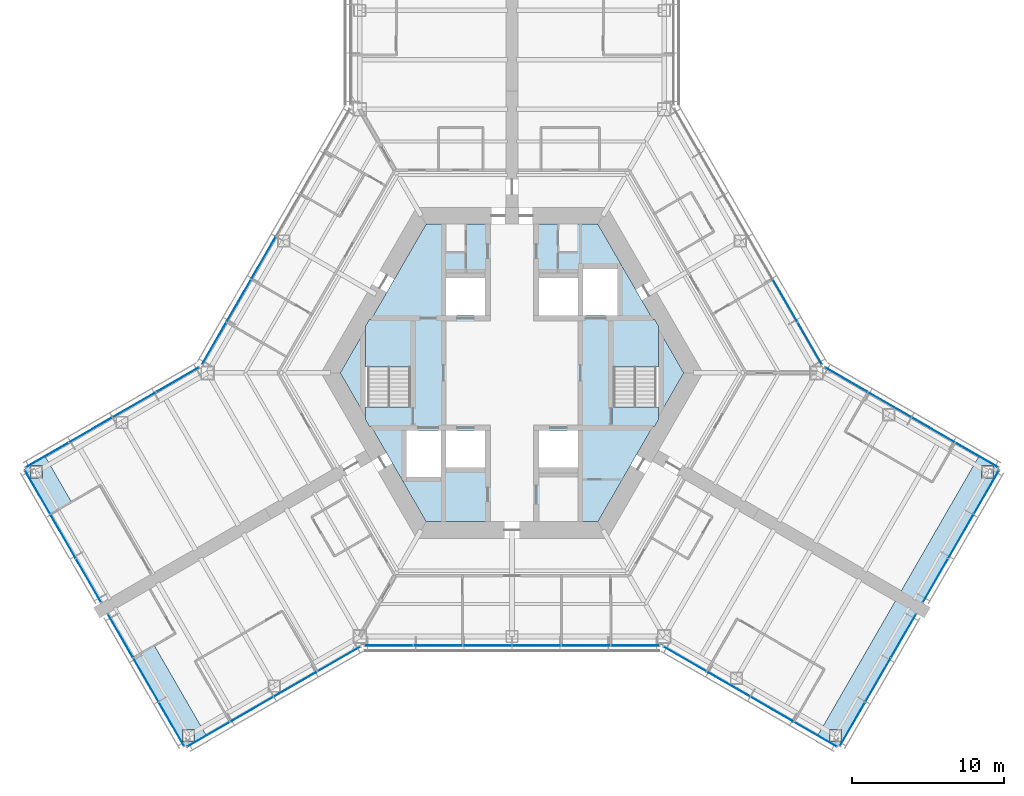
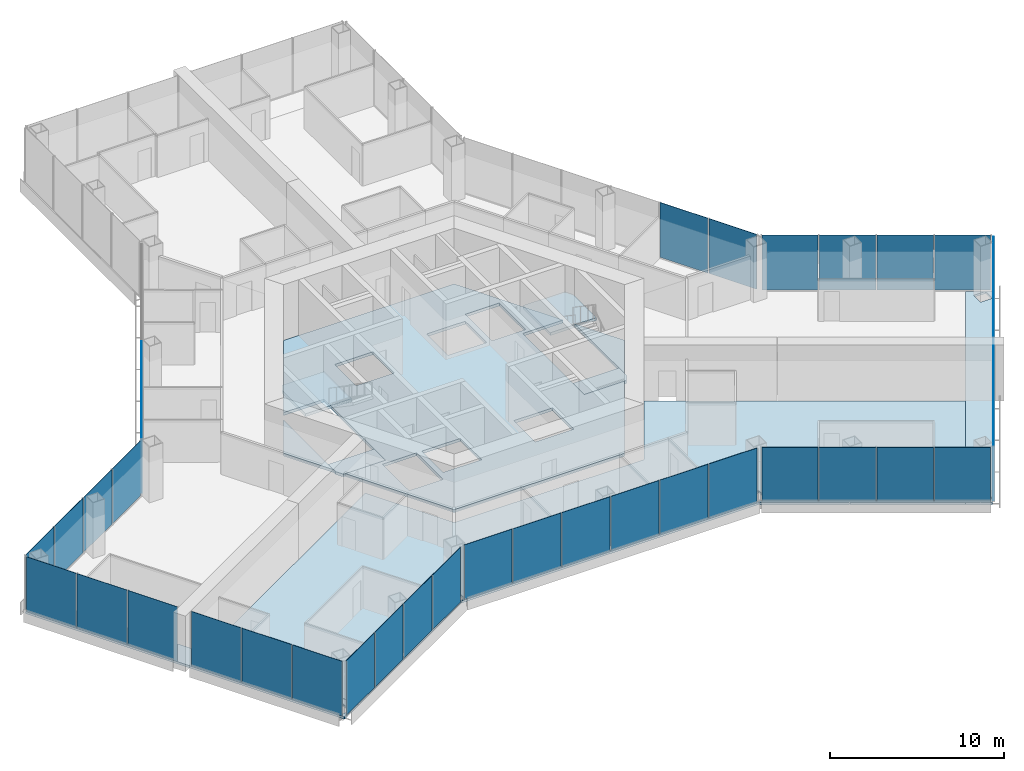
# One storey, part 10 of 19: 39 plates, 10 slabs, 13 elements without a shape of their own.
"""IFC4 building model written with IfcOpenShell, lengths in metres."""

from ifc_helpers import new_model, si_unit, direction, frame, origin, origin_2d, place, context, subcontext, project, spatial, polyline, rectangle, outline, extrude, material, layer, layer_set, type_object, element, aggregate, save


model = new_model("IFC4")

# Units and contexts
model_context = context("Model", 3, precision=1e-05, world=origin(), true_north=direction((0.0, 1.0)))
body_context = subcontext(model_context, "Body", "Model", "MODEL_VIEW")
ifc_project = project(units=[si_unit("LENGTHUNIT", "METRE"), si_unit("AREAUNIT", "SQUARE_METRE"), si_unit("VOLUMEUNIT", "CUBIC_METRE"), si_unit("PLANEANGLEUNIT", "RADIAN"), si_unit("MASSUNIT", "GRAM", prefix="KILO")], contexts=[model_context])

# Site, building, storey
site_placement = place(None, origin())
site = spatial("IfcSite", under=ifc_project, at=site_placement, CompositionType="ELEMENT")
building_placement = place(site_placement, origin())
building = spatial("IfcBuilding", under=site, at=building_placement, Name="Kasaneha Research Tower", CompositionType="ELEMENT")
storey_placement = place(building_placement, frame((0.0, 0.0, 84.60009765625)))
storey = spatial("IfcBuildingStorey", under=building, at=storey_placement, Name="L21", CompositionType="ELEMENT", Elevation=84.60009765625)

# Curtain wall, plates
ifc_material_1 = material(Name="Glass and aluminium", Category="aluminium")
curtain_wall_type = type_object("IfcCurtainWallType", Name="Low-rise office curtain wall", PredefinedType="USERDEFINED", material=ifc_material_1)
curtain_wall_1_placement = place(storey_placement, origin())
curtain_wall_1 = element("IfcCurtainWall", 1, at=curtain_wall_1_placement, inside=storey, type_object=curtain_wall_type, Name="CW-O1 L21 run 01a", ObjectType="UNITISED CURTAIN WALL", PredefinedType="USERDEFINED")
ifc_material_2 = material(Name="Laminated double glazing", Category="glass")
ifc_layer_1 = layer(ifc_material_2, 0.028076171875)
ifc_layer_set_1 = layer_set([ifc_layer_1], Name="CW-O1 glazed panel")
plate_type = type_object("IfcPlateType", Name="CW-O1 glazed panel", PredefinedType="CURTAIN_PANEL", material=ifc_layer_set_1)
plate_1_placement = place(storey_placement, frame((-19.945068359375, -23.755126953125, 0.06005859375), z_axis=(0.0, 0.0, 1.0), x_axis=(0.866025411464, 0.499999986699, 0.0)))
plate_1 = element("IfcPlate", 2, at=plate_1_placement, type_object=plate_type, Name="CW-O1 panel 1", PredefinedType="CURTAIN_PANEL", context=body_context, shape_type="SweptSolid", body=[
    extrude(rectangle(XDim=3.2197265625, YDim=0.028076171875, at=origin_2d()), origin(), (0.0, 0.0, 1.0), 3.840087890625),
])
plate_2_placement = place(storey_placement, frame((-17.091796875, -22.107666015625, 0.06005859375), z_axis=(0.0, 0.0, 1.0), x_axis=(0.866025411464, 0.499999986699, 0.0)))
plate_2 = element("IfcPlate", 3, at=plate_2_placement, type_object=plate_type, Name="CW-O1 panel 2", PredefinedType="CURTAIN_PANEL", context=body_context, shape_type="SweptSolid", body=[
    extrude(rectangle(XDim=3.249755859375, YDim=0.028076171875, at=origin_2d()), origin(), (0.0, 0.0, 1.0), 3.840087890625),
])
plate_3_placement = place(storey_placement, frame((-14.225341796875, -20.452880859375, 0.06005859375), z_axis=(0.0, 0.0, 1.0), x_axis=(0.866025411464, 0.499999986699, 0.0)))
plate_3 = element("IfcPlate", 4, at=plate_3_placement, type_object=plate_type, Name="CW-O1 panel 3", PredefinedType="CURTAIN_PANEL", context=body_context, shape_type="SweptSolid", body=[
    extrude(rectangle(XDim=3.249755859375, YDim=0.028076171875, at=origin_2d()), origin(), (0.0, 0.0, 1.0), 3.840087890625),
])
plate_4_placement = place(storey_placement, frame((-11.3720703125, -18.805419921875, 0.06005859375), z_axis=(0.0, 0.0, 1.0), x_axis=(0.866025411464, 0.499999986699, 0.0)))
plate_4 = element("IfcPlate", 5, at=plate_4_placement, type_object=plate_type, Name="CW-O1 panel 4", PredefinedType="CURTAIN_PANEL", context=body_context, shape_type="SweptSolid", body=[
    extrude(rectangle(XDim=3.2197265625, YDim=0.028076171875, at=origin_2d()), origin(), (0.0, 0.0, 1.0), 3.840087890625),
])
aggregate(curtain_wall_1, [plate_1, plate_2, plate_3, plate_4])

curtain_wall_2_placement = place(storey_placement, origin())
curtain_wall_2 = element("IfcCurtainWall", 6, at=curtain_wall_2_placement, inside=storey, type_object=curtain_wall_type, Name="CW-O1 L21 run 02a", ObjectType="UNITISED CURTAIN WALL", PredefinedType="USERDEFINED")
plate_5_placement = place(storey_placement, frame((-8.10107421875, -17.92041015625, 0.06005859375), z_axis=(0.0, 0.0, 1.0), x_axis=(1.0, 0.0, 0.0)))
plate_5 = element("IfcPlate", 7, at=plate_5_placement, type_object=plate_type, Name="CW-O1 panel 1", PredefinedType="CURTAIN_PANEL", context=body_context, shape_type="SweptSolid", body=[
    extrude(rectangle(XDim=3.156494140625, YDim=0.028076171875, at=origin_2d()), origin(), (0.0, 0.0, 1.0), 3.840087890625),
])
plate_6_placement = place(storey_placement, frame((-4.86962890625, -17.92041015625, 0.06005859375), z_axis=(0.0, 0.0, 1.0), x_axis=(1.0, 0.0, 0.0)))
plate_6 = element("IfcPlate", 8, at=plate_6_placement, type_object=plate_type, Name="CW-O1 panel 2", PredefinedType="CURTAIN_PANEL", context=body_context, shape_type="SweptSolid", body=[
    extrude(rectangle(XDim=3.1865234375, YDim=0.028076171875, at=origin_2d()), origin(), (0.0, 0.0, 1.0), 3.840087890625),
])
plate_7_placement = place(storey_placement, frame((-1.623291015625, -17.92041015625, 0.06005859375), z_axis=(0.0, 0.0, 1.0), x_axis=(1.0, 0.0, 0.0)))
plate_7 = element("IfcPlate", 9, at=plate_7_placement, type_object=plate_type, Name="CW-O1 panel 3", PredefinedType="CURTAIN_PANEL", context=body_context, shape_type="SweptSolid", body=[
    extrude(rectangle(XDim=3.1865234375, YDim=0.028076171875, at=origin_2d()), origin(), (0.0, 0.0, 1.0), 3.840087890625),
])
plate_8_placement = place(storey_placement, frame((1.623291015625, -17.92041015625, 0.06005859375), z_axis=(0.0, 0.0, 1.0), x_axis=(1.0, 0.0, 0.0)))
plate_8 = element("IfcPlate", 10, at=plate_8_placement, type_object=plate_type, Name="CW-O1 panel 4", PredefinedType="CURTAIN_PANEL", context=body_context, shape_type="SweptSolid", body=[
    extrude(rectangle(XDim=3.1865234375, YDim=0.028076171875, at=origin_2d()), origin(), (0.0, 0.0, 1.0), 3.840087890625),
])
plate_9_placement = place(storey_placement, frame((4.86962890625, -17.92041015625, 0.06005859375), z_axis=(0.0, 0.0, 1.0), x_axis=(1.0, 0.0, 0.0)))
plate_9 = element("IfcPlate", 11, at=plate_9_placement, type_object=plate_type, Name="CW-O1 panel 5", PredefinedType="CURTAIN_PANEL", context=body_context, shape_type="SweptSolid", body=[
    extrude(rectangle(XDim=3.1865234375, YDim=0.028076171875, at=origin_2d()), origin(), (0.0, 0.0, 1.0), 3.840087890625),
])
plate_10_placement = place(storey_placement, frame((8.10107421875, -17.92041015625, 0.06005859375), z_axis=(0.0, 0.0, 1.0), x_axis=(1.0, 0.0, 0.0)))
plate_10 = element("IfcPlate", 12, at=plate_10_placement, type_object=plate_type, Name="CW-O1 panel 6", PredefinedType="CURTAIN_PANEL", context=body_context, shape_type="SweptSolid", body=[
    extrude(rectangle(XDim=3.156494140625, YDim=0.028076171875, at=origin_2d()), origin(), (0.0, 0.0, 1.0), 3.840087890625),
])
aggregate(curtain_wall_2, [plate_5, plate_6, plate_7, plate_8, plate_9, plate_10])

curtain_wall_3_placement = place(storey_placement, origin())
curtain_wall_3 = element("IfcCurtainWall", 13, at=curtain_wall_3_placement, inside=storey, type_object=curtain_wall_type, Name="CW-O1 L21 run 03a", ObjectType="UNITISED CURTAIN WALL", PredefinedType="USERDEFINED")
plate_11_placement = place(storey_placement, frame((11.3720703125, -18.805419921875, 0.06005859375), z_axis=(0.0, 0.0, 1.0), x_axis=(0.866025411464, -0.499999986699, 0.0)))
plate_11 = element("IfcPlate", 14, at=plate_11_placement, type_object=plate_type, Name="CW-O1 panel 1", PredefinedType="CURTAIN_PANEL", context=body_context, shape_type="SweptSolid", body=[
    extrude(rectangle(XDim=3.2197265625, YDim=0.028076171875, at=origin_2d()), origin(), (0.0, 0.0, 1.0), 3.840087890625),
])
plate_12_placement = place(storey_placement, frame((14.225341796875, -20.452880859375, 0.06005859375), z_axis=(0.0, 0.0, 1.0), x_axis=(0.866025411464, -0.499999986699, 0.0)))
plate_12 = element("IfcPlate", 15, at=plate_12_placement, type_object=plate_type, Name="CW-O1 panel 2", PredefinedType="CURTAIN_PANEL", context=body_context, shape_type="SweptSolid", body=[
    extrude(rectangle(XDim=3.249755859375, YDim=0.028076171875, at=origin_2d()), origin(), (0.0, 0.0, 1.0), 3.840087890625),
])
plate_13_placement = place(storey_placement, frame((17.091796875, -22.107666015625, 0.06005859375), z_axis=(0.0, 0.0, 1.0), x_axis=(0.866025411464, -0.499999986699, 0.0)))
plate_13 = element("IfcPlate", 16, at=plate_13_placement, type_object=plate_type, Name="CW-O1 panel 3", PredefinedType="CURTAIN_PANEL", context=body_context, shape_type="SweptSolid", body=[
    extrude(rectangle(XDim=3.249755859375, YDim=0.028076171875, at=origin_2d()), origin(), (0.0, 0.0, 1.0), 3.840087890625),
])
plate_14_placement = place(storey_placement, frame((19.945068359375, -23.755126953125, 0.06005859375), z_axis=(0.0, 0.0, 1.0), x_axis=(0.866025411464, -0.499999986699, 0.0)))
plate_14 = element("IfcPlate", 17, at=plate_14_placement, type_object=plate_type, Name="CW-O1 panel 4", PredefinedType="CURTAIN_PANEL", context=body_context, shape_type="SweptSolid", body=[
    extrude(rectangle(XDim=3.2197265625, YDim=0.028076171875, at=origin_2d()), origin(), (0.0, 0.0, 1.0), 3.840087890625),
])
aggregate(curtain_wall_3, [plate_11, plate_12, plate_13, plate_14])

curtain_wall_4_placement = place(storey_placement, origin())
curtain_wall_4 = element("IfcCurtainWall", 18, at=curtain_wall_4_placement, inside=storey, type_object=curtain_wall_type, Name="CW-O1 L21 run 04a", ObjectType="UNITISED CURTAIN WALL", PredefinedType="USERDEFINED")
plate_15_placement = place(storey_placement, frame((22.377197265625, -23.082763671875, 0.06005859375), z_axis=(0.0, 0.0, 1.0), x_axis=(0.500000011442, 0.866025397178, 0.0)))
plate_15 = element("IfcPlate", 19, at=plate_15_placement, type_object=plate_type, Name="CW-O1 panel 1", PredefinedType="CURTAIN_PANEL", context=body_context, shape_type="SweptSolid", body=[
    extrude(rectangle(XDim=3.276611328125, YDim=0.028076171875, at=origin_2d()), origin(), (0.0, 0.0, 1.0), 3.840087890625),
])
plate_16_placement = place(storey_placement, frame((24.052978515625, -20.18017578125, 0.06005859375), z_axis=(0.0, 0.0, 1.0), x_axis=(0.500000011442, 0.866025397178, 0.0)))
plate_16 = element("IfcPlate", 20, at=plate_16_placement, type_object=plate_type, Name="CW-O1 panel 2", PredefinedType="CURTAIN_PANEL", context=body_context, shape_type="SweptSolid", body=[
    extrude(rectangle(XDim=3.306640625, YDim=0.028076171875, at=origin_2d()), origin(), (0.0, 0.0, 1.0), 3.840087890625),
])
plate_17_placement = place(storey_placement, frame((25.728759765625, -17.27734375, 0.06005859375), z_axis=(0.0, 0.0, 1.0), x_axis=(0.500000011442, 0.866025397178, 0.0)))
plate_17 = element("IfcPlate", 21, at=plate_17_placement, type_object=plate_type, Name="CW-O1 panel 3", PredefinedType="CURTAIN_PANEL", context=body_context, shape_type="SweptSolid", body=[
    extrude(rectangle(XDim=3.276611328125, YDim=0.028076171875, at=origin_2d()), origin(), (0.0, 0.0, 1.0), 3.840087890625),
])
aggregate(curtain_wall_4, [plate_15, plate_16, plate_17])

curtain_wall_5_placement = place(storey_placement, origin())
curtain_wall_5 = element("IfcCurtainWall", 22, at=curtain_wall_5_placement, inside=storey, type_object=curtain_wall_type, Name="CW-O1 L21 run 05a", ObjectType="UNITISED CURTAIN WALL", PredefinedType="USERDEFINED")
plate_18_placement = place(storey_placement, frame((27.8271484375, -13.64306640625, 0.06005859375), z_axis=(0.0, 0.0, 1.0), x_axis=(0.500000011442, 0.866025397178, 0.0)))
plate_18 = element("IfcPlate", 23, at=plate_18_placement, type_object=plate_type, Name="CW-O1 panel 1", PredefinedType="CURTAIN_PANEL", context=body_context, shape_type="SweptSolid", body=[
    extrude(rectangle(XDim=3.276611328125, YDim=0.028076171875, at=origin_2d()), origin(), (0.0, 0.0, 1.0), 3.840087890625),
])
plate_19_placement = place(storey_placement, frame((29.5029296875, -10.740478515625, 0.06005859375), z_axis=(0.0, 0.0, 1.0), x_axis=(0.500000011442, 0.866025397178, 0.0)))
plate_19 = element("IfcPlate", 24, at=plate_19_placement, type_object=plate_type, Name="CW-O1 panel 2", PredefinedType="CURTAIN_PANEL", context=body_context, shape_type="SweptSolid", body=[
    extrude(rectangle(XDim=3.306640625, YDim=0.028076171875, at=origin_2d()), origin(), (0.0, 0.0, 1.0), 3.840087890625),
])
plate_20_placement = place(storey_placement, frame((31.1787109375, -7.837890625, 0.06005859375), z_axis=(0.0, 0.0, 1.0), x_axis=(0.500000011442, 0.866025397178, 0.0)))
plate_20 = element("IfcPlate", 25, at=plate_20_placement, type_object=plate_type, Name="CW-O1 panel 3", PredefinedType="CURTAIN_PANEL", context=body_context, shape_type="SweptSolid", body=[
    extrude(rectangle(XDim=3.276611328125, YDim=0.028076171875, at=origin_2d()), origin(), (0.0, 0.0, 1.0), 3.840087890625),
])
aggregate(curtain_wall_5, [plate_18, plate_19, plate_20])

curtain_wall_6_placement = place(storey_placement, origin())
curtain_wall_6 = element("IfcCurtainWall", 26, at=curtain_wall_6_placement, inside=storey, type_object=curtain_wall_type, Name="CW-O1 L21 run 06a", ObjectType="UNITISED CURTAIN WALL", PredefinedType="USERDEFINED")
plate_21_placement = place(storey_placement, frame((30.545166015625, -5.3955078125, 0.06005859375), z_axis=(0.0, 0.0, 1.0), x_axis=(-0.866025411464, 0.499999986699, 0.0)))
plate_21 = element("IfcPlate", 27, at=plate_21_placement, type_object=plate_type, Name="CW-O1 panel 1", PredefinedType="CURTAIN_PANEL", context=body_context, shape_type="SweptSolid", body=[
    extrude(rectangle(XDim=3.2197265625, YDim=0.028076171875, at=origin_2d()), origin(), (0.0, 0.0, 1.0), 3.840087890625),
])
plate_22_placement = place(storey_placement, frame((27.69189453125, -3.748046875, 0.06005859375), z_axis=(0.0, 0.0, 1.0), x_axis=(-0.866025411464, 0.499999986699, 0.0)))
plate_22 = element("IfcPlate", 28, at=plate_22_placement, type_object=plate_type, Name="CW-O1 panel 2", PredefinedType="CURTAIN_PANEL", context=body_context, shape_type="SweptSolid", body=[
    extrude(rectangle(XDim=3.249755859375, YDim=0.028076171875, at=origin_2d()), origin(), (0.0, 0.0, 1.0), 3.840087890625),
])
plate_23_placement = place(storey_placement, frame((24.825439453125, -2.093017578125, 0.06005859375), z_axis=(0.0, 0.0, 1.0), x_axis=(-0.866025411464, 0.499999986699, 0.0)))
plate_23 = element("IfcPlate", 29, at=plate_23_placement, type_object=plate_type, Name="CW-O1 panel 3", PredefinedType="CURTAIN_PANEL", context=body_context, shape_type="SweptSolid", body=[
    extrude(rectangle(XDim=3.249755859375, YDim=0.028076171875, at=origin_2d()), origin(), (0.0, 0.0, 1.0), 3.840087890625),
])
plate_24_placement = place(storey_placement, frame((21.971923828125, -0.44580078125, 0.06005859375), z_axis=(0.0, 0.0, 1.0), x_axis=(-0.866025411464, 0.499999986699, 0.0)))
plate_24 = element("IfcPlate", 30, at=plate_24_placement, type_object=plate_type, Name="CW-O1 panel 4", PredefinedType="CURTAIN_PANEL", context=body_context, shape_type="SweptSolid", body=[
    extrude(rectangle(XDim=3.2197265625, YDim=0.028076171875, at=origin_2d()), origin(), (0.0, 0.0, 1.0), 3.840087890625),
])
aggregate(curtain_wall_6, [plate_21, plate_22, plate_23, plate_24])

curtain_wall_7_placement = place(storey_placement, origin())
curtain_wall_7 = element("IfcCurtainWall", 31, at=curtain_wall_7_placement, inside=storey, type_object=curtain_wall_type, Name="CW-O1 L21 run 07a", ObjectType="UNITISED CURTAIN WALL", PredefinedType="USERDEFINED")
plate_25_placement = place(storey_placement, frame((19.570068359375, 1.944580078125, 0.06005859375), z_axis=(0.0, 0.0, 1.0), x_axis=(-0.49999996188, 0.866025425793, 0.0)))
plate_25 = element("IfcPlate", 32, at=plate_25_placement, type_object=plate_type, Name="CW-O1 panel 1", PredefinedType="CURTAIN_PANEL", context=body_context, shape_type="SweptSolid", body=[
    extrude(rectangle(XDim=3.156494140625, YDim=0.028076171875, at=origin_2d()), origin(), (0.0, 0.0, 1.0), 3.840087890625),
])
plate_26_placement = place(storey_placement, frame((17.954345703125, 4.7431640625, 0.06005859375), z_axis=(0.0, 0.0, 1.0), x_axis=(-0.49999996188, 0.866025425793, 0.0)))
plate_26 = element("IfcPlate", 33, at=plate_26_placement, type_object=plate_type, Name="CW-O1 panel 2", PredefinedType="CURTAIN_PANEL", context=body_context, shape_type="SweptSolid", body=[
    extrude(rectangle(XDim=3.1865234375, YDim=0.028076171875, at=origin_2d()), origin(), (0.0, 0.0, 1.0), 3.840087890625),
])
aggregate(curtain_wall_7, [plate_25, plate_26])

curtain_wall_8_placement = place(storey_placement, origin())
curtain_wall_8 = element("IfcCurtainWall", 34, at=curtain_wall_8_placement, inside=storey, type_object=curtain_wall_type, Name="CW-O1 L21 run 12a", ObjectType="UNITISED CURTAIN WALL", PredefinedType="USERDEFINED")
plate_27_placement = place(storey_placement, frame((-16.331298828125, 7.554443359375, 0.06005859375), z_axis=(0.0, 0.0, 1.0), x_axis=(-0.49999996188, -0.866025425793, 0.0)))
plate_27 = element("IfcPlate", 35, at=plate_27_placement, type_object=plate_type, Name="CW-O1 panel 4", PredefinedType="CURTAIN_PANEL", context=body_context, shape_type="SweptSolid", body=[
    extrude(rectangle(XDim=3.1865234375, YDim=0.028076171875, at=origin_2d()), origin(), (0.0, 0.0, 1.0), 3.840087890625),
])
plate_28_placement = place(storey_placement, frame((-17.954345703125, 4.7431640625, 0.06005859375), z_axis=(0.0, 0.0, 1.0), x_axis=(-0.49999996188, -0.866025425793, 0.0)))
plate_28 = element("IfcPlate", 36, at=plate_28_placement, type_object=plate_type, Name="CW-O1 panel 5", PredefinedType="CURTAIN_PANEL", context=body_context, shape_type="SweptSolid", body=[
    extrude(rectangle(XDim=3.1865234375, YDim=0.028076171875, at=origin_2d()), origin(), (0.0, 0.0, 1.0), 3.840087890625),
])
plate_29_placement = place(storey_placement, frame((-19.570068359375, 1.944580078125, 0.06005859375), z_axis=(0.0, 0.0, 1.0), x_axis=(-0.49999996188, -0.866025425793, 0.0)))
plate_29 = element("IfcPlate", 37, at=plate_29_placement, type_object=plate_type, Name="CW-O1 panel 6", PredefinedType="CURTAIN_PANEL", context=body_context, shape_type="SweptSolid", body=[
    extrude(rectangle(XDim=3.156494140625, YDim=0.028076171875, at=origin_2d()), origin(), (0.0, 0.0, 1.0), 3.840087890625),
])
aggregate(curtain_wall_8, [plate_27, plate_28, plate_29])

curtain_wall_9_placement = place(storey_placement, origin())
curtain_wall_9 = element("IfcCurtainWall", 38, at=curtain_wall_9_placement, inside=storey, type_object=curtain_wall_type, Name="CW-O1 L21 run 13a", ObjectType="UNITISED CURTAIN WALL", PredefinedType="USERDEFINED")
plate_30_placement = place(storey_placement, frame((-21.971923828125, -0.44580078125, 0.06005859375), z_axis=(0.0, 0.0, 1.0), x_axis=(-0.866025411464, -0.499999986699, 0.0)))
plate_30 = element("IfcPlate", 39, at=plate_30_placement, type_object=plate_type, Name="CW-O1 panel 1", PredefinedType="CURTAIN_PANEL", context=body_context, shape_type="SweptSolid", body=[
    extrude(rectangle(XDim=3.2197265625, YDim=0.028076171875, at=origin_2d()), origin(), (0.0, 0.0, 1.0), 3.840087890625),
])
plate_31_placement = place(storey_placement, frame((-24.825439453125, -2.093017578125, 0.06005859375), z_axis=(0.0, 0.0, 1.0), x_axis=(-0.866025411464, -0.499999986699, 0.0)))
plate_31 = element("IfcPlate", 40, at=plate_31_placement, type_object=plate_type, Name="CW-O1 panel 2", PredefinedType="CURTAIN_PANEL", context=body_context, shape_type="SweptSolid", body=[
    extrude(rectangle(XDim=3.249755859375, YDim=0.028076171875, at=origin_2d()), origin(), (0.0, 0.0, 1.0), 3.840087890625),
])
plate_32_placement = place(storey_placement, frame((-27.69189453125, -3.748046875, 0.06005859375), z_axis=(0.0, 0.0, 1.0), x_axis=(-0.866025411464, -0.499999986699, 0.0)))
plate_32 = element("IfcPlate", 41, at=plate_32_placement, type_object=plate_type, Name="CW-O1 panel 3", PredefinedType="CURTAIN_PANEL", context=body_context, shape_type="SweptSolid", body=[
    extrude(rectangle(XDim=3.249755859375, YDim=0.028076171875, at=origin_2d()), origin(), (0.0, 0.0, 1.0), 3.840087890625),
])
plate_33_placement = place(storey_placement, frame((-30.545166015625, -5.3955078125, 0.06005859375), z_axis=(0.0, 0.0, 1.0), x_axis=(-0.866025411464, -0.499999986699, 0.0)))
plate_33 = element("IfcPlate", 42, at=plate_33_placement, type_object=plate_type, Name="CW-O1 panel 4", PredefinedType="CURTAIN_PANEL", context=body_context, shape_type="SweptSolid", body=[
    extrude(rectangle(XDim=3.2197265625, YDim=0.028076171875, at=origin_2d()), origin(), (0.0, 0.0, 1.0), 3.840087890625),
])
aggregate(curtain_wall_9, [plate_30, plate_31, plate_32, plate_33])

curtain_wall_10_placement = place(storey_placement, origin())
curtain_wall_10 = element("IfcCurtainWall", 43, at=curtain_wall_10_placement, inside=storey, type_object=curtain_wall_type, Name="CW-O1 L21 run 14a", ObjectType="UNITISED CURTAIN WALL", PredefinedType="USERDEFINED")
plate_34_placement = place(storey_placement, frame((-31.1787109375, -7.837890625, 0.06005859375), z_axis=(0.0, 0.0, 1.0), x_axis=(0.500000011442, -0.866025397178, 0.0)))
plate_34 = element("IfcPlate", 44, at=plate_34_placement, type_object=plate_type, Name="CW-O1 panel 1", PredefinedType="CURTAIN_PANEL", context=body_context, shape_type="SweptSolid", body=[
    extrude(rectangle(XDim=3.276611328125, YDim=0.028076171875, at=origin_2d()), origin(), (0.0, 0.0, 1.0), 3.840087890625),
])
plate_35_placement = place(storey_placement, frame((-29.5029296875, -10.740478515625, 0.06005859375), z_axis=(0.0, 0.0, 1.0), x_axis=(0.500000011442, -0.866025397178, 0.0)))
plate_35 = element("IfcPlate", 45, at=plate_35_placement, type_object=plate_type, Name="CW-O1 panel 2", PredefinedType="CURTAIN_PANEL", context=body_context, shape_type="SweptSolid", body=[
    extrude(rectangle(XDim=3.306640625, YDim=0.028076171875, at=origin_2d()), origin(), (0.0, 0.0, 1.0), 3.840087890625),
])
plate_36_placement = place(storey_placement, frame((-27.8271484375, -13.64306640625, 0.06005859375), z_axis=(0.0, 0.0, 1.0), x_axis=(0.500000011442, -0.866025397178, 0.0)))
plate_36 = element("IfcPlate", 46, at=plate_36_placement, type_object=plate_type, Name="CW-O1 panel 3", PredefinedType="CURTAIN_PANEL", context=body_context, shape_type="SweptSolid", body=[
    extrude(rectangle(XDim=3.276611328125, YDim=0.028076171875, at=origin_2d()), origin(), (0.0, 0.0, 1.0), 3.840087890625),
])
aggregate(curtain_wall_10, [plate_34, plate_35, plate_36])

curtain_wall_11_placement = place(storey_placement, origin())
curtain_wall_11 = element("IfcCurtainWall", 47, at=curtain_wall_11_placement, inside=storey, type_object=curtain_wall_type, Name="CW-O1 L21 run 15a", ObjectType="UNITISED CURTAIN WALL", PredefinedType="USERDEFINED")
plate_37_placement = place(storey_placement, frame((-25.728759765625, -17.27734375, 0.06005859375), z_axis=(0.0, 0.0, 1.0), x_axis=(0.500000011442, -0.866025397178, 0.0)))
plate_37 = element("IfcPlate", 48, at=plate_37_placement, type_object=plate_type, Name="CW-O1 panel 1", PredefinedType="CURTAIN_PANEL", context=body_context, shape_type="SweptSolid", body=[
    extrude(rectangle(XDim=3.276611328125, YDim=0.028076171875, at=origin_2d()), origin(), (0.0, 0.0, 1.0), 3.840087890625),
])
plate_38_placement = place(storey_placement, frame((-24.052978515625, -20.18017578125, 0.06005859375), z_axis=(0.0, 0.0, 1.0), x_axis=(0.500000011442, -0.866025397178, 0.0)))
plate_38 = element("IfcPlate", 49, at=plate_38_placement, type_object=plate_type, Name="CW-O1 panel 2", PredefinedType="CURTAIN_PANEL", context=body_context, shape_type="SweptSolid", body=[
    extrude(rectangle(XDim=3.306640625, YDim=0.028076171875, at=origin_2d()), origin(), (0.0, 0.0, 1.0), 3.840087890625),
])
plate_39_placement = place(storey_placement, frame((-22.377197265625, -23.082763671875, 0.06005859375), z_axis=(0.0, 0.0, 1.0), x_axis=(0.500000011442, -0.866025397178, 0.0)))
plate_39 = element("IfcPlate", 50, at=plate_39_placement, type_object=plate_type, Name="CW-O1 panel 3", PredefinedType="CURTAIN_PANEL", context=body_context, shape_type="SweptSolid", body=[
    extrude(rectangle(XDim=3.276611328125, YDim=0.028076171875, at=origin_2d()), origin(), (0.0, 0.0, 1.0), 3.840087890625),
])
aggregate(curtain_wall_11, [plate_37, plate_38, plate_39])

# Slabs
ifc_material_3 = material(Name="Concrete Fc24", Category="concrete")
ifc_layer_2 = layer(ifc_material_3, 0.199951171875)
ifc_layer_set_2 = layer_set([ifc_layer_2], Name="Core floor slab 200")
slab_type_1 = type_object("IfcSlabType", Name="Core floor slab 200", PredefinedType="FLOOR", material=ifc_layer_set_2)
slab_1_placement = place(storey_placement, frame((0.0, 0.0, -0.2001953125)))
element("IfcSlab", 51, at=slab_1_placement, inside=storey, type_object=slab_type_1, Name="Core slab L21", PredefinedType="FLOOR", context=body_context, shape_type="SweptSolid", body=[
    extrude(outline(polyline([(-11.287109375, 0.0), (-9.625, 2.87890625), (-9.625, -2.87890625), (-11.287109375, 0.0)])), origin(), (0.0, 0.0, 1.0), 0.2001953125),
])
slab_2_placement = place(storey_placement, frame((0.0, 0.0, -0.2001953125)))
element("IfcSlab", 52, at=slab_2_placement, inside=storey, type_object=slab_type_1, Name="Core slab L21", PredefinedType="FLOOR", context=body_context, shape_type="SweptSolid", body=[
    extrude(outline(polyline([(-5.6435546875, 9.77490234375), (5.6435546875, 9.77490234375), (9.251953125, 3.52490234375), (6.574951171875, 3.52490234375), (6.574951171875, -3.52490234375), (9.251953125, -3.52490234375), (5.6435546875, -9.77490234375), (-5.6435546875, -9.77490234375), (-9.251953125, -3.52490234375), (-6.574951171875, -3.52490234375), (-6.574951171875, 3.52490234375), (-9.251953125, 3.52490234375), (-5.6435546875, 9.77490234375)]), holes=[polyline([(-6.925048828125, -3.77490234375), (-6.925048828125, -6.824951171875), (-4.675048828125, -6.824951171875), (-4.675048828125, -3.77490234375), (-6.925048828125, -3.77490234375)]), polyline([(-4.324951171875, -3.77490234375), (-4.324951171875, -6.22509765625), (-1.77490234375, -6.22509765625), (-1.77490234375, -3.77490234375), (-4.324951171875, -3.77490234375)]), polyline([(1.77490234375, -3.77490234375), (1.77490234375, -6.22509765625), (4.324951171875, -6.22509765625), (4.324951171875, -3.77490234375), (1.77490234375, -3.77490234375)]), polyline([(-4.324951171875, 6.22509765625), (-4.324951171875, 3.77490234375), (-1.77490234375, 3.77490234375), (-1.77490234375, 6.22509765625), (-4.324951171875, 6.22509765625)]), polyline([(1.77490234375, 6.22509765625), (1.77490234375, 3.77490234375), (4.324951171875, 3.77490234375), (4.324951171875, 6.22509765625), (1.77490234375, 6.22509765625)]), polyline([(4.675048828125, 6.824951171875), (4.675048828125, 3.77490234375), (6.925048828125, 3.77490234375), (6.925048828125, 6.824951171875), (4.675048828125, 6.824951171875)])]), origin(), (0.0, 0.0, 1.0), 0.2001953125),
])
slab_3_placement = place(storey_placement, frame((0.0, 0.0, -0.2001953125)))
element("IfcSlab", 53, at=slab_3_placement, inside=storey, type_object=slab_type_1, Name="Core slab L21", PredefinedType="FLOOR", context=body_context, shape_type="SweptSolid", body=[
    extrude(outline(polyline([(11.287109375, 0.0), (9.625, -2.87890625), (9.625, 2.87890625), (11.287109375, 0.0)])), origin(), (0.0, 0.0, 1.0), 0.2001953125),
])
ifc_material_4 = material(Name="Concrete Fc24", Category="concrete")
ifc_layer_3 = layer(ifc_material_4, 0.14990234375)
ifc_layer_set_3 = layer_set([ifc_layer_3], Name="Floor slab 150")
slab_type_2 = type_object("IfcSlabType", Name="Floor slab 150", PredefinedType="FLOOR", material=ifc_layer_set_3)
slab_4_placement = place(storey_placement, frame((0.0, 0.0, -0.150146484375)))
element("IfcSlab", 54, at=slab_4_placement, inside=storey, type_object=slab_type_2, Name="Floor slab L21 1", PredefinedType="FLOOR", context=body_context, shape_type="SweptSolid", body=[
    extrude(outline(polyline([(-25.1923828125, -15.006591796875), (-25.18359375, -15.001708984375), (-20.108642578125, -23.791748046875), (-21.459716796875, -24.57177734375), (-21.65576171875, -24.232177734375), (-21.644287109375, -24.220703125), (-20.858154296875, -24.220703125), (-20.858154296875, -23.42041015625), (-21.658447265625, -23.42041015625), (-21.658447265625, -24.20654296875), (-21.666015625, -24.214111328125), (-31.65576171875, -6.91162109375), (-31.644287109375, -6.900146484375), (-30.858154296875, -6.900146484375), (-30.858154296875, -6.099853515625), (-31.658447265625, -6.099853515625), (-31.658447265625, -6.885986328125), (-31.666015625, -6.8935546875), (-32.009521484375, -6.298583984375), (-30.65869140625, -5.518798828125), (-25.583740234375, -14.308837890625), (-25.59228515625, -14.313720703125), (-25.1923828125, -15.006591796875)])), origin(), (0.0, 0.0, 1.0), 0.150146484375),
])
slab_5_placement = place(storey_placement, frame((0.0, 0.0, -0.150146484375)))
element("IfcSlab", 55, at=slab_5_placement, inside=storey, type_object=slab_type_2, Name="Floor slab L21 4", PredefinedType="FLOOR", context=body_context, shape_type="SweptSolid", body=[
    extrude(outline(polyline([(-6.278564453125, -10.875), (6.278564453125, -10.875), (9.218017578125, -5.783935546875), (25.18359375, -15.001708984375), (20.108642578125, -23.791748046875), (14.369384765625, -20.478271484375), (14.377197265625, -20.470703125), (15.163330078125, -20.470703125), (15.163330078125, -19.67041015625), (14.363037109375, -19.67041015625), (14.363037109375, -20.45654296875), (14.3515625, -20.468017578125), (9.8525390625, -17.87060546875), (-9.8525390625, -17.87060546875), (-15.217529296875, -20.968017578125), (-15.22900390625, -20.95654296875), (-15.22900390625, -20.17041015625), (-16.029296875, -20.17041015625), (-16.029296875, -20.970703125), (-15.2431640625, -20.970703125), (-15.235595703125, -20.978271484375), (-20.108642578125, -23.791748046875), (-25.18359375, -15.001708984375), (-9.218017578125, -5.783935546875), (-6.278564453125, -10.875)]), holes=[polyline([(0.39990234375, -17.720458984375), (0.39990234375, -16.92041015625), (-0.39990234375, -16.92041015625), (-0.39990234375, -17.720458984375), (0.39990234375, -17.720458984375)]), polyline([(-9.550048828125, -16.87060546875), (-10.449951171875, -16.87060546875), (-10.449951171875, -17.7705078125), (-9.550048828125, -17.7705078125), (-9.550048828125, -16.87060546875)]), polyline([(10.449951171875, -16.87060546875), (9.550048828125, -16.87060546875), (9.550048828125, -17.7705078125), (10.449951171875, -17.7705078125), (10.449951171875, -16.87060546875)])]), origin(), (0.0, 0.0, 1.0), 0.150146484375),
])
slab_6_placement = place(storey_placement, frame((0.0, 0.0, -0.150146484375)))
element("IfcSlab", 56, at=slab_6_placement, inside=storey, type_object=slab_type_2, Name="Floor slab L21 6", PredefinedType="FLOOR", context=body_context, shape_type="SweptSolid", body=[
    extrude(outline(polyline([(25.1923828125, -15.006591796875), (25.59228515625, -14.313720703125), (25.583740234375, -14.308837890625), (30.65869140625, -5.518798828125), (32.009521484375, -6.298583984375), (31.666015625, -6.8935546875), (31.658447265625, -6.885986328125), (31.658447265625, -6.099853515625), (30.858154296875, -6.099853515625), (30.858154296875, -6.900146484375), (31.644287109375, -6.900146484375), (31.65576171875, -6.91162109375), (21.666015625, -24.214111328125), (21.658447265625, -24.20654296875), (21.658447265625, -23.42041015625), (20.858154296875, -23.42041015625), (20.858154296875, -24.220703125), (21.644287109375, -24.220703125), (21.65576171875, -24.232177734375), (21.459716796875, -24.57177734375), (20.108642578125, -23.791748046875), (25.18359375, -15.001708984375), (25.1923828125, -15.006591796875)])), origin(), (0.0, 0.0, 1.0), 0.150146484375),
])

# Stair, slabs
ifc_material_5 = material(Name="Concrete Fc24", Category="concrete")
stair_type = type_object("IfcStairType", Name="Half-turn stair 22 risers", PredefinedType="HALF_TURN_STAIR", material=ifc_material_5)
stair_1_placement = place(storey_placement, origin())
stair_1 = element("IfcStair", 57, at=stair_1_placement, inside=storey, type_object=stair_type, Name="Stair 1 L21", PredefinedType="HALF_TURN_STAIR")
ifc_material_6 = material(Name="Concrete Fc24", Category="concrete")
ifc_layer_4 = layer(ifc_material_6, 0.199951171875)
ifc_layer_set_4 = layer_set([ifc_layer_4], Name="Stair 1 landing 200")
slab_type_3 = type_object("IfcSlabType", Name="Stair 1 landing 200", PredefinedType="LANDING", material=ifc_layer_set_4)
slab_7_placement = place(storey_placement, frame((0.0, 0.0, -0.2001953125)))
slab_7 = element("IfcSlab", 58, at=slab_7_placement, type_object=slab_type_3, Name="ST1-22R landing 1", PredefinedType="LANDING", context=body_context, shape_type="SweptSolid", body=[
    extrude(outline(polyline([(9.367431640625, -3.52490234375), (6.574951171875, -3.52490234375), (6.574951171875, -2.22509765625), (9.625, -2.22509765625), (9.625, -3.0791015625), (9.367431640625, -3.52490234375)])), origin(), (0.0, 0.0, 1.0), 0.2001953125),
])
slab_8_placement = place(storey_placement, frame((0.0, 0.0, 1.75)))
slab_8 = element("IfcSlab", 59, at=slab_8_placement, type_object=slab_type_3, Name="ST1-22R landing 2", PredefinedType="LANDING", context=body_context, shape_type="SweptSolid", body=[
    extrude(outline(polyline([(6.574951171875, 3.52490234375), (9.367431640625, 3.52490234375), (9.625, 3.0791015625), (9.625, 0.375), (6.574951171875, 0.375), (6.574951171875, 3.52490234375)])), origin(), (0.0, 0.0, 1.0), 0.199951171875),
])
aggregate(stair_1, [slab_7, slab_8])

stair_2_placement = place(storey_placement, origin())
stair_2 = element("IfcStair", 60, at=stair_2_placement, inside=storey, type_object=stair_type, Name="Stair 2 L21", PredefinedType="HALF_TURN_STAIR")
ifc_material_7 = material(Name="Concrete Fc24", Category="concrete")
ifc_layer_5 = layer(ifc_material_7, 0.199951171875)
ifc_layer_set_5 = layer_set([ifc_layer_5], Name="Stair 2 landing 200")
slab_type_4 = type_object("IfcSlabType", Name="Stair 2 landing 200", PredefinedType="LANDING", material=ifc_layer_set_5)
slab_9_placement = place(storey_placement, frame((0.0, 0.0, -0.2001953125)))
slab_9 = element("IfcSlab", 61, at=slab_9_placement, type_object=slab_type_4, Name="ST2-22R landing 1", PredefinedType="LANDING", context=body_context, shape_type="SweptSolid", body=[
    extrude(outline(polyline([(-6.574951171875, -3.52490234375), (-9.367431640625, -3.52490234375), (-9.625, -3.0791015625), (-9.625, -2.22509765625), (-6.574951171875, -2.22509765625), (-6.574951171875, -3.52490234375)])), origin(), (0.0, 0.0, 1.0), 0.2001953125),
])
slab_10_placement = place(storey_placement, frame((0.0, 0.0, 1.75)))
slab_10 = element("IfcSlab", 62, at=slab_10_placement, type_object=slab_type_4, Name="ST2-22R landing 2", PredefinedType="LANDING", context=body_context, shape_type="SweptSolid", body=[
    extrude(outline(polyline([(-6.574951171875, 0.375), (-9.625, 0.375), (-9.625, 3.0791015625), (-9.367431640625, 3.52490234375), (-6.574951171875, 3.52490234375), (-6.574951171875, 0.375)])), origin(), (0.0, 0.0, 1.0), 0.199951171875),
])
aggregate(stair_2, [slab_9, slab_10])

save(model, "model.ifc")
